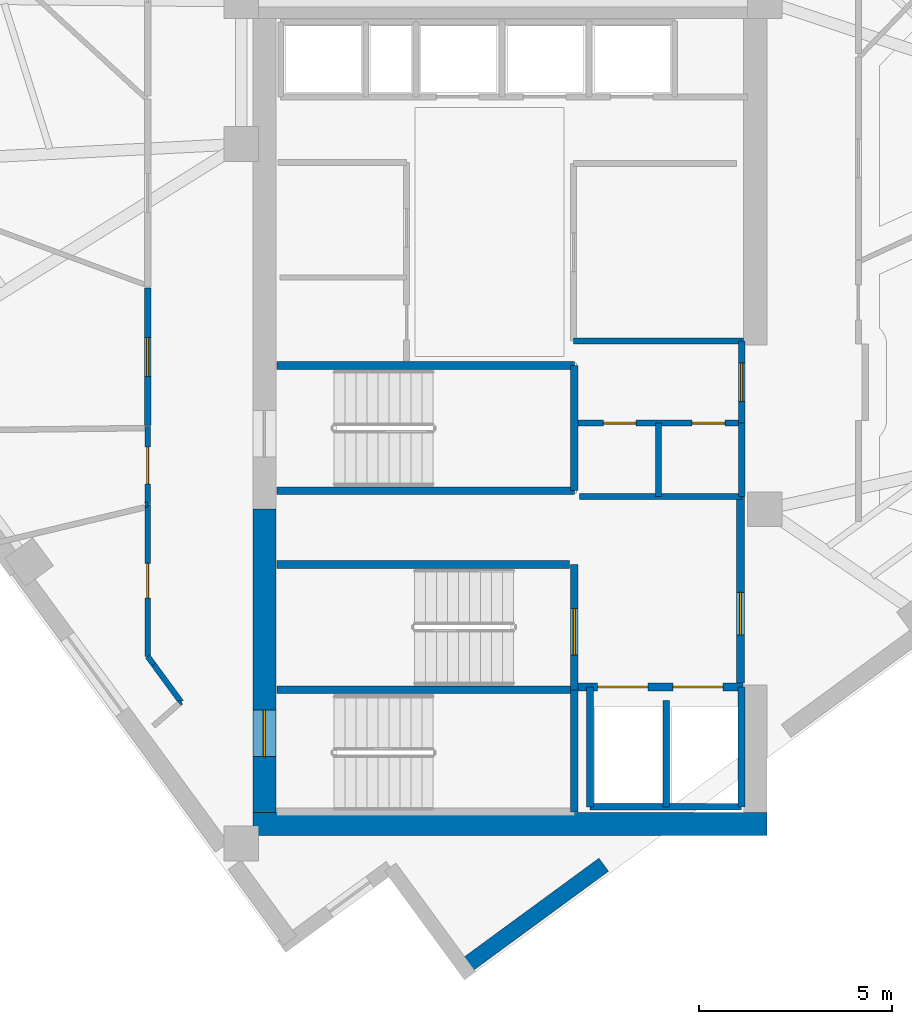
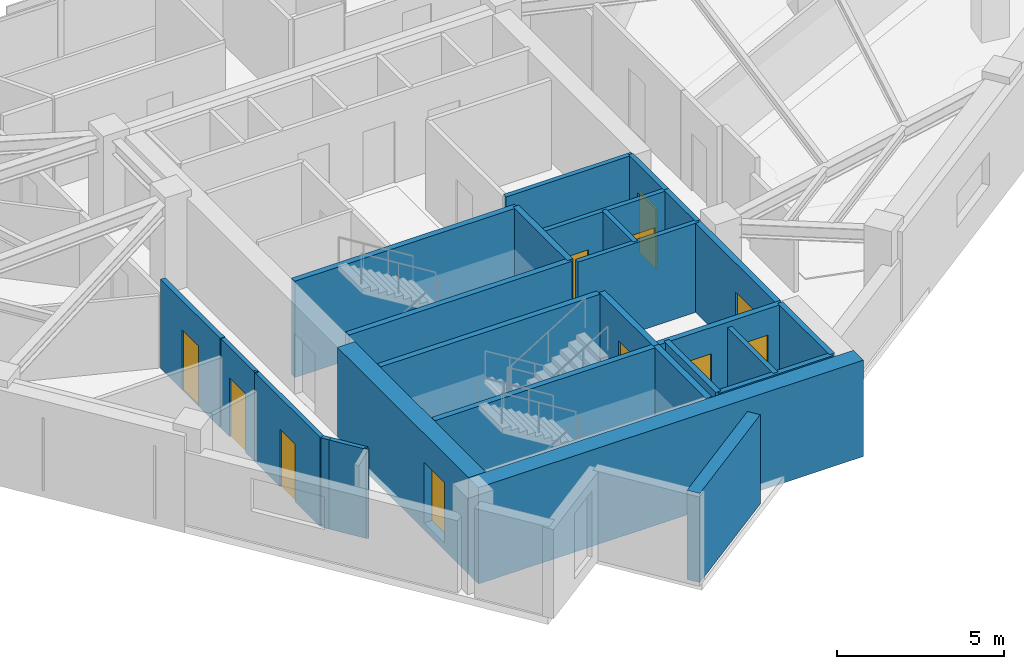
# One storey, part 8 of 13: 29 walls, 11 doors, 11 openings.
"""IFC4 building model written with IfcOpenShell, lengths in metres."""

from ifc_helpers import new_model, si_unit, direction, frame, frame_2d, origin, place, context, subcontext, project, spatial, rectangle, extrude, material, layer, layer_set, type_object, element, fill, save


model = new_model("IFC4")

# Units and contexts
model_context = context("Model", 3, precision=1e-05, world=origin(), true_north=direction((0.0, 1.0)))
body_context = subcontext(model_context, "Body", "Model", "MODEL_VIEW")
ifc_project = project(units=[si_unit("LENGTHUNIT", "METRE"), si_unit("AREAUNIT", "SQUARE_METRE"), si_unit("VOLUMEUNIT", "CUBIC_METRE"), si_unit("PLANEANGLEUNIT", "RADIAN"), si_unit("MASSUNIT", "GRAM", prefix="KILO")], contexts=[model_context])

# Site, building, storey
site_placement = place(None, origin())
site = spatial("IfcSite", under=ifc_project, at=site_placement, CompositionType="ELEMENT")
building_placement = place(site_placement, origin())
building = spatial("IfcBuilding", under=site, at=building_placement, Name="Narakoshi Arena Tower", CompositionType="ELEMENT")
storey_placement = place(building_placement, frame((0.0, 0.0, 239.6201171875)))
storey = spatial("IfcBuildingStorey", under=building, at=storey_placement, Name="L65", CompositionType="ELEMENT", Elevation=239.6201171875)

# Wall, opening, door
ifc_material_1 = material(Name="Concrete C50/60", Category="concrete")
ifc_layer_1 = layer(ifc_material_1, 0.60009765625)
ifc_layer_set_1 = layer_set([ifc_layer_1], Name="Concrete C50/60")
wall_type_1 = type_object("IfcWallType", Name="WL-CORE-600", PredefinedType="SHEAR", material=ifc_layer_set_1)
wall_1_placement = place(storey_placement, frame((72.60009765625, 35.5, -0.260009765625), z_axis=(0.0, 0.0, 1.0), x_axis=(0.0, 1.0, 0.0)))
wall_1 = element("IfcWall", 1, at=wall_1_placement, inside=storey, type_object=wall_type_1, Name="L65 Central Core Shear Wall CW-APX-W", PredefinedType="SHEAR", context=body_context, shape_type="SweptSolid", body=[
    extrude(rectangle(XDim=7.85009765625, YDim=0.60009765625, at=frame_2d((3.925048828125, 0.0))), origin(), (0.0, 0.0, 1.0), 3.519775390625),
])
opening_1_placement = place(wall_1_placement, frame((1.449951171875, 0.0, 0.260009765625)))
opening_1 = element("IfcOpeningElement", 2, at=opening_1_placement, cuts=wall_1, Name="Opening D-03", PredefinedType="OPENING", context=body_context, shape_type="SweptSolid", body=[
    extrude(rectangle(XDim=1.199951171875, YDim=2.199951171875, at=frame_2d((0.60009765625, 1.10009765625))), frame((0.0, 0.31005859375, 0.0), z_axis=(0.0, -1.0, 0.0), x_axis=(1.0, 0.0, 0.0)), (0.0, 0.0, 1.0), 0.6201171875),
])
ifc_material_2 = material(Name="Painted galvanized steel", Category="steel")
door_type_1 = type_object("IfcDoorType", Name="DR-STR-1200", OperationType="NOTDEFINED", PredefinedType="USERDEFINED", material=ifc_material_2)
door_1_placement = place(opening_1_placement, frame((1.199951171875, 0.0, 0.0), z_axis=(0.0, 0.0, 1.0), x_axis=(-1.0, 0.0, 0.0)))
door_1 = element("IfcDoor", 3, at=door_1_placement, inside=storey, type_object=door_type_1, Name="DR-L65-001", ObjectType="EXITDOOR", OperationType="SINGLE_SWING_LEFT", OverallHeight=2.199951171875, OverallWidth=1.199951171875, PredefinedType="USERDEFINED", context=body_context, shape_type="SweptSolid", body=[
    extrude(rectangle(XDim=1.199951171875, YDim=2.199951171875, at=frame_2d((0.60009765625, 1.10009765625))), frame((0.0, 0.02490234375, 0.0), z_axis=(0.0, -1.0, 0.0), x_axis=(1.0, 0.0, 0.0)), (0.0, 0.0, 1.0), 0.050048828125),
])
fill(opening_1, door_1)

# Wall
wall_2_placement = place(storey_placement, frame((72.300048828125, 35.199951171875, -0.260009765625), z_axis=(0.0, 0.0, 1.0), x_axis=(1.0, 0.0, 0.0)))
element("IfcWall", 4, at=wall_2_placement, inside=storey, type_object=wall_type_1, Name="L65 Central Core Shear Wall CW-APX-S", PredefinedType="SHEAR", context=body_context, shape_type="SweptSolid", body=[
    extrude(rectangle(XDim=13.300048828125, YDim=0.60009765625, at=frame_2d((6.64990234375, 0.0))), origin(), (0.0, 0.0, 1.0), 3.519775390625),
])

# Wall, opening, door
ifc_material_3 = material(Name="Gypsum plasterboard fire-rated partition")
ifc_layer_2 = layer(ifc_material_3, 0.1650390625)
ifc_layer_set_2 = layer_set([ifc_layer_2], Name="Gypsum plasterboard fire-rated partition")
wall_type_2 = type_object("IfcWallType", Name="WL-CORR-165", PredefinedType="PARTITIONING", material=ifc_layer_set_2)
wall_3_placement = place(storey_placement, frame((84.949951171875, 45.580078125, 0.0), z_axis=(0.0, 0.0, 1.0), x_axis=(0.0, 1.0, 0.0)))
wall_3 = element("IfcWall", 5, at=wall_3_placement, inside=storey, type_object=wall_type_2, Name="L65 Core Wall CPAS-E", PredefinedType="PARTITIONING", context=body_context, shape_type="SweptSolid", body=[
    extrude(rectangle(XDim=2.119873046875, YDim=0.1650390625, at=frame_2d((1.06005859375, 0.0))), origin(), (0.0, 0.0, 1.0), 3.259765625),
])
opening_2_placement = place(wall_3_placement, frame((0.56005859375, 0.0, 0.0)))
opening_2 = element("IfcOpeningElement", 6, at=opening_2_placement, cuts=wall_3, Name="Opening D-06", PredefinedType="OPENING", context=body_context, shape_type="SweptSolid", body=[
    extrude(rectangle(XDim=1.0, YDim=2.199951171875, at=frame_2d((0.5, 1.10009765625))), frame((0.0, 0.092529296875, 0.0), z_axis=(0.0, -1.0, 0.0), x_axis=(1.0, 0.0, 0.0)), (0.0, 0.0, 1.0), 0.18505859375),
])
ifc_material_4 = material(Name="Stained oak solid-core timber", Category="wood")
door_type_2 = type_object("IfcDoorType", Name="DR-OFF-1000", OperationType="NOTDEFINED", PredefinedType="DOOR", material=ifc_material_4)
door_2_placement = place(opening_2_placement, frame((1.0, 0.0, 0.0), z_axis=(0.0, 0.0, 1.0), x_axis=(-1.0, 0.0, 0.0)))
door_2 = element("IfcDoor", 7, at=door_2_placement, inside=storey, type_object=door_type_2, Name="DR-L65-007", OperationType="SINGLE_SWING_LEFT", OverallHeight=2.199951171875, OverallWidth=1.0, PredefinedType="DOOR", context=body_context, shape_type="SweptSolid", body=[
    extrude(rectangle(XDim=1.0, YDim=2.199951171875, at=frame_2d((0.5, 1.10009765625))), frame((0.0, 0.02490234375, 0.0), z_axis=(0.0, -1.0, 0.0), x_axis=(1.0, 0.0, 0.0)), (0.0, 0.0, 1.0), 0.050048828125),
])
fill(opening_2, door_2)

wall_4_placement = place(storey_placement, frame((69.577880859375, 49.071044921875, 0.0), z_axis=(0.0, 0.0, 1.0), x_axis=(0.0, -1.0, 0.0)))
wall_4 = element("IfcWall", 8, at=wall_4_placement, inside=storey, type_object=wall_type_2, Name="L65 Corridor Partition 09-1", PredefinedType="PARTITIONING", context=body_context, shape_type="SweptSolid", body=[
    extrude(rectangle(XDim=3.560791015625, YDim=0.1650390625, at=frame_2d((1.7802734375, 0.0))), origin(), (0.0, 0.0, 1.0), 3.259765625),
])
opening_3_placement = place(wall_4_placement, frame((1.280517578125, 0.0, 0.0)))
opening_3 = element("IfcOpeningElement", 9, at=opening_3_placement, cuts=wall_4, Name="Opening D-06", PredefinedType="OPENING", context=body_context, shape_type="SweptSolid", body=[
    extrude(rectangle(XDim=1.0, YDim=2.199951171875, at=frame_2d((0.5, 1.10009765625))), frame((0.0, 0.092529296875, 0.0), z_axis=(0.0, -1.0, 0.0), x_axis=(1.0, 0.0, 0.0)), (0.0, 0.0, 1.0), 0.18505859375),
])
door_3_placement = place(opening_3_placement, frame((1.0, 0.0, 0.0), z_axis=(0.0, 0.0, 1.0), x_axis=(-1.0, 0.0, 0.0)))
door_3 = element("IfcDoor", 10, at=door_3_placement, inside=storey, type_object=door_type_2, Name="DR-L65-024", OperationType="SINGLE_SWING_LEFT", OverallHeight=2.199951171875, OverallWidth=1.0, PredefinedType="DOOR", context=body_context, shape_type="SweptSolid", body=[
    extrude(rectangle(XDim=1.0, YDim=2.199951171875, at=frame_2d((0.5, 1.10009765625))), frame((0.0, 0.02490234375, 0.0), z_axis=(0.0, -1.0, 0.0), x_axis=(1.0, 0.0, 0.0)), (0.0, 0.0, 1.0), 0.050048828125),
])
fill(opening_3, door_3)

# Walls
ifc_material_5 = material(Name="Precast concrete C45/55", Category="concrete")
ifc_layer_3 = layer(ifc_material_5, 0.419921875)
ifc_layer_set_3 = layer_set([ifc_layer_3], Name="Precast concrete C45/55")
wall_type_3 = type_object("IfcWallType", Name="WL-POD-420", PredefinedType="SOLIDWALL", material=ifc_layer_set_3)
wall_5_placement = place(storey_placement, frame((77.760009765625, 31.4951171875, 0.0), z_axis=(0.0, 0.0, 1.0), x_axis=(0.806458583304, 0.591290582891, 0.0)))
element("IfcWall", 11, at=wall_5_placement, inside=storey, type_object=wall_type_3, Name="L65 Architectural Concrete Facade Wall LEGA-1", PredefinedType="SOLIDWALL", context=body_context, shape_type="SweptSolid", body=[
    extrude(rectangle(XDim=4.48974609375, YDim=0.419921875, at=frame_2d((2.244873046875, 0.0))), origin(), (0.0, 0.0, 1.0), 3.259765625),
])
ifc_material_6 = material(Name="Concrete C40/50", Category="concrete")
ifc_layer_4 = layer(ifc_material_6, 0.280029296875)
ifc_layer_set_4 = layer_set([ifc_layer_4], Name="Concrete C40/50")
wall_type_4 = type_object("IfcWallType", Name="WL-RISER-280", PredefinedType="PLUMBINGWALL", material=ifc_layer_set_4)
wall_6_placement = place(storey_placement, frame((83.0, 35.64990234375, 0.0), z_axis=(0.0, 0.0, 1.0), x_axis=(0.0, 1.0, 0.0)))
element("IfcWall", 12, at=wall_6_placement, inside=storey, type_object=wall_type_4, Name="L65 Core Wall FF-DIV", PredefinedType="PLUMBINGWALL", context=body_context, shape_type="SweptSolid", body=[
    extrude(rectangle(XDim=2.75, YDim=0.159912109375, at=frame_2d((1.375, 0.0))), origin(), (0.0, 0.0, 1.0), 3.259765625),
])
wall_7_placement = place(storey_placement, frame((84.949951171875, 43.679931640625, 0.0), z_axis=(0.0, 0.0, 1.0), x_axis=(0.0, 1.0, 0.0)))
element("IfcWall", 13, at=wall_7_placement, inside=storey, type_object=wall_type_4, Name="L65 Core Wall RSR-E", PredefinedType="PLUMBINGWALL", context=body_context, shape_type="SweptSolid", body=[
    extrude(rectangle(XDim=1.900146484375, YDim=0.1650390625, at=frame_2d((0.9501953125, 0.0))), origin(), (0.0, 0.0, 1.0), 3.259765625),
])

# Wall, openings, doors
wall_8_placement = place(storey_placement, frame((80.719970703125, 45.580078125, 0.0), z_axis=(0.0, 0.0, 1.0), x_axis=(1.0, 0.0, 0.0)))
wall_8 = element("IfcWall", 14, at=wall_8_placement, inside=storey, type_object=wall_type_4, Name="L65 Core Wall RSR-N", PredefinedType="PLUMBINGWALL", context=body_context, shape_type="SweptSolid", body=[
    extrude(rectangle(XDim=4.22998046875, YDim=0.159912109375, at=frame_2d((2.114990234375, 0.0))), origin(), (0.0, 0.0, 1.0), 3.259765625),
])
opening_4_placement = place(wall_8_placement, frame((0.64990234375, 0.0, 0.0)))
opening_4 = element("IfcOpeningElement", 15, at=opening_4_placement, cuts=wall_8, Name="Opening D-10", PredefinedType="OPENING", context=body_context, shape_type="SweptSolid", body=[
    extrude(rectangle(XDim=0.85009765625, YDim=2.050048828125, at=frame_2d((0.425048828125, 1.02490234375))), frame((0.0, 0.08984375, 0.0), z_axis=(0.0, -1.0, 0.0), x_axis=(1.0, 0.0, 0.0)), (0.0, 0.0, 1.0), 0.179931640625),
])
opening_5_placement = place(wall_8_placement, frame((2.949951171875, 0.0, 0.0)))
opening_5 = element("IfcOpeningElement", 16, at=opening_5_placement, cuts=wall_8, Name="Opening D-10", PredefinedType="OPENING", context=body_context, shape_type="SweptSolid", body=[
    extrude(rectangle(XDim=0.85009765625, YDim=2.050048828125, at=frame_2d((0.425048828125, 1.02490234375))), frame((0.0, 0.08984375, 0.0), z_axis=(0.0, -1.0, 0.0), x_axis=(1.0, 0.0, 0.0)), (0.0, 0.0, 1.0), 0.179931640625),
])
door_type_3 = type_object("IfcDoorType", Name="DR-RSR-850", OperationType="NOTDEFINED", PredefinedType="DOOR", material=ifc_material_2)
door_4_placement = place(opening_4_placement, frame((0.85009765625, 0.0, 0.0), z_axis=(0.0, 0.0, 1.0), x_axis=(-1.0, 0.0, 0.0)))
door_4 = element("IfcDoor", 17, at=door_4_placement, inside=storey, type_object=door_type_3, Name="DR-L65-008", OperationType="SINGLE_SWING_LEFT", OverallHeight=2.050048828125, OverallWidth=0.85009765625, PredefinedType="DOOR", context=body_context, shape_type="SweptSolid", body=[
    extrude(rectangle(XDim=0.85009765625, YDim=2.050048828125, at=frame_2d((0.425048828125, 1.02490234375))), frame((0.0, 0.02490234375, 0.0), z_axis=(0.0, -1.0, 0.0), x_axis=(1.0, 0.0, 0.0)), (0.0, 0.0, 1.0), 0.050048828125),
])
fill(opening_4, door_4)
door_5_placement = place(opening_5_placement, frame((0.85009765625, 0.0, 0.0), z_axis=(0.0, 0.0, 1.0), x_axis=(-1.0, 0.0, 0.0)))
door_5 = element("IfcDoor", 18, at=door_5_placement, inside=storey, type_object=door_type_3, Name="DR-L65-009", OperationType="SINGLE_SWING_RIGHT", OverallHeight=2.050048828125, OverallWidth=0.85009765625, PredefinedType="DOOR", context=body_context, shape_type="SweptSolid", body=[
    extrude(rectangle(XDim=0.85009765625, YDim=2.050048828125, at=frame_2d((0.425048828125, 1.02490234375))), frame((0.0, 0.02490234375, 0.0), z_axis=(0.0, -1.0, 0.0), x_axis=(1.0, 0.0, 0.0)), (0.0, 0.0, 1.0), 0.050048828125),
])
fill(opening_5, door_5)

# Walls
wall_9_placement = place(storey_placement, frame((80.760009765625, 43.679931640625, 0.0), z_axis=(0.0, 0.0, 1.0), x_axis=(1.0, 0.0, 0.0)))
element("IfcWall", 19, at=wall_9_placement, inside=storey, type_object=wall_type_4, Name="L65 Core Wall RSR-S", PredefinedType="PLUMBINGWALL", context=body_context, shape_type="SweptSolid", body=[
    extrude(rectangle(XDim=4.18994140625, YDim=0.159912109375, at=frame_2d((2.094970703125, 0.0))), origin(), (0.0, 0.0, 1.0), 3.259765625),
])
wall_10_placement = place(storey_placement, frame((82.800048828125, 43.679931640625, 0.0), z_axis=(0.0, 0.0, 1.0), x_axis=(0.0, 1.0, 0.0)))
element("IfcWall", 20, at=wall_10_placement, inside=storey, type_object=wall_type_4, Name="L65 Core Wall RSR-M", PredefinedType="PLUMBINGWALL", context=body_context, shape_type="SweptSolid", body=[
    extrude(rectangle(XDim=1.900146484375, YDim=0.159912109375, at=frame_2d((0.9501953125, 0.0))), origin(), (0.0, 0.0, 1.0), 3.259765625),
])
ifc_layer_5 = layer(ifc_material_1, 0.35009765625)
ifc_layer_set_5 = layer_set([ifc_layer_5], Name="Concrete C50/60")
wall_type_5 = type_object("IfcWallType", Name="WL-SHAFT-350", PredefinedType="SOLIDWALL", material=ifc_layer_set_5)
wall_11_placement = place(storey_placement, frame((72.919921875, 38.675048828125, -0.260009765625), z_axis=(0.0, 0.0, 1.0), x_axis=(1.0, 0.0, 0.0)))
element("IfcWall", 21, at=wall_11_placement, inside=storey, type_object=wall_type_5, Name="L65 Core Wall ST12-DIV", PredefinedType="SOLIDWALL", context=body_context, shape_type="SweptSolid", body=[
    extrude(rectangle(XDim=7.7001953125, YDim=0.199951171875, at=frame_2d((3.85009765625, 0.0))), origin(), (0.0, 0.0, 1.0), 3.519775390625),
])
wall_12_placement = place(storey_placement, frame((80.6201171875, 35.52001953125, -0.260009765625), z_axis=(0.0, 0.0, 1.0), x_axis=(0.0, 1.0, 0.0)))
element("IfcWall", 22, at=wall_12_placement, inside=storey, type_object=wall_type_5, Name="L65 Core Wall ST1-E", PredefinedType="SOLIDWALL", context=body_context, shape_type="SweptSolid", body=[
    extrude(rectangle(XDim=3.155029296875, YDim=0.199951171875, at=frame_2d((1.57763671875, 0.0))), origin(), (0.0, 0.0, 1.0), 3.519775390625),
])

# Wall, opening, door
wall_13_placement = place(storey_placement, frame((80.6201171875, 38.675048828125, -0.260009765625), z_axis=(0.0, 0.0, 1.0), x_axis=(0.0, 1.0, 0.0)))
wall_13 = element("IfcWall", 23, at=wall_13_placement, inside=storey, type_object=wall_type_5, Name="L65 Core Wall ST2-E", PredefinedType="SOLIDWALL", context=body_context, shape_type="SweptSolid", body=[
    extrude(rectangle(XDim=3.244873046875, YDim=0.199951171875, at=frame_2d((1.62255859375, 0.0))), origin(), (0.0, 0.0, 1.0), 3.519775390625),
])
opening_6_placement = place(wall_13_placement, frame((0.89990234375, 0.0, 0.260009765625)))
opening_6 = element("IfcOpeningElement", 24, at=opening_6_placement, cuts=wall_13, Name="Opening D-03", PredefinedType="OPENING", context=body_context, shape_type="SweptSolid", body=[
    extrude(rectangle(XDim=1.199951171875, YDim=2.199951171875, at=frame_2d((0.60009765625, 1.10009765625))), frame((0.0, 0.10986328125, 0.0), z_axis=(0.0, -1.0, 0.0), x_axis=(1.0, 0.0, 0.0)), (0.0, 0.0, 1.0), 0.219970703125),
])
door_6_placement = place(opening_6_placement, origin())
door_6 = element("IfcDoor", 25, at=door_6_placement, inside=storey, type_object=door_type_1, Name="DR-L65-002", ObjectType="EXITDOOR", OperationType="SINGLE_SWING_RIGHT", OverallHeight=2.199951171875, OverallWidth=1.199951171875, PredefinedType="USERDEFINED", context=body_context, shape_type="SweptSolid", body=[
    extrude(rectangle(XDim=1.199951171875, YDim=2.199951171875, at=frame_2d((0.60009765625, 1.10009765625))), frame((0.0, 0.02490234375, 0.0), z_axis=(0.0, -1.0, 0.0), x_axis=(1.0, 0.0, 0.0)), (0.0, 0.0, 1.0), 0.050048828125),
])
fill(opening_6, door_6)

# Wall, openings, doors
wall_14_placement = place(storey_placement, frame((80.719970703125, 38.75, 0.0), z_axis=(0.0, 0.0, 1.0), x_axis=(1.0, 0.0, 0.0)))
wall_14 = element("IfcWall", 26, at=wall_14_placement, inside=storey, type_object=wall_type_5, Name="L65 Core Wall FF-N", PredefinedType="SOLIDWALL", context=body_context, shape_type="SweptSolid", body=[
    extrude(rectangle(XDim=4.260009765625, YDim=0.199951171875, at=frame_2d((2.1298828125, 0.0))), origin(), (0.0, 0.0, 1.0), 3.259765625),
])
opening_7_placement = place(wall_14_placement, frame((0.5, 0.0, 0.0)))
opening_7 = element("IfcOpeningElement", 27, at=opening_7_placement, cuts=wall_14, Name="Opening LD-02", PredefinedType="OPENING", context=body_context, shape_type="SweptSolid", body=[
    extrude(rectangle(XDim=1.300048828125, YDim=2.300048828125, at=frame_2d((0.64990234375, 1.14990234375))), frame((0.0, 0.10986328125, 0.0), z_axis=(0.0, -1.0, 0.0), x_axis=(1.0, 0.0, 0.0)), (0.0, 0.0, 1.0), 0.219970703125),
])
opening_8_placement = place(wall_14_placement, frame((2.449951171875, 0.0, 0.0)))
opening_8 = element("IfcOpeningElement", 28, at=opening_8_placement, cuts=wall_14, Name="Opening LD-02", PredefinedType="OPENING", context=body_context, shape_type="SweptSolid", body=[
    extrude(rectangle(XDim=1.300048828125, YDim=2.300048828125, at=frame_2d((0.64990234375, 1.14990234375))), frame((0.0, 0.10986328125, 0.0), z_axis=(0.0, -1.0, 0.0), x_axis=(1.0, 0.0, 0.0)), (0.0, 0.0, 1.0), 0.219970703125),
])
ifc_material_7 = material(Name="Brushed bronze stainless steel", Category="steel")
door_type_4 = type_object("IfcDoorType", Name="DR-LFT-1300", OperationType="DOUBLE_DOOR_SLIDING", PredefinedType="DOOR", material=ifc_material_7)
door_7_placement = place(opening_7_placement, origin())
door_7 = element("IfcDoor", 29, at=door_7_placement, inside=storey, type_object=door_type_4, Name="DR-L65-003", OperationType="DOUBLE_DOOR_SLIDING", OverallHeight=2.300048828125, OverallWidth=1.300048828125, PredefinedType="DOOR", context=body_context, shape_type="SweptSolid", body=[
    extrude(rectangle(XDim=1.300048828125, YDim=2.300048828125, at=frame_2d((0.64990234375, 1.14990234375))), frame((0.0, 0.02490234375, 0.0), z_axis=(0.0, -1.0, 0.0), x_axis=(1.0, 0.0, 0.0)), (0.0, 0.0, 1.0), 0.050048828125),
])
fill(opening_7, door_7)
door_8_placement = place(opening_8_placement, origin())
door_8 = element("IfcDoor", 30, at=door_8_placement, inside=storey, type_object=door_type_4, Name="DR-L65-004", OperationType="DOUBLE_DOOR_SLIDING", OverallHeight=2.300048828125, OverallWidth=1.300048828125, PredefinedType="DOOR", context=body_context, shape_type="SweptSolid", body=[
    extrude(rectangle(XDim=1.300048828125, YDim=2.300048828125, at=frame_2d((0.64990234375, 1.14990234375))), frame((0.0, 0.02490234375, 0.0), z_axis=(0.0, -1.0, 0.0), x_axis=(1.0, 0.0, 0.0)), (0.0, 0.0, 1.0), 0.050048828125),
])
fill(opening_8, door_8)

# Walls
for number, where, z_axis, x_axis, name in (
    (31, (84.949951171875, 35.64990234375, 0.0), (0.0, 0.0, 1.0), (0.0, 1.0, 0.0), "L65 Core Wall FF-E"),
    (32, (81.02001953125, 35.64990234375, 0.0), (0.0, 0.0, 1.0), (0.0, 1.0, 0.0), "L65 Core Wall FF-W"),
):
    element("IfcWall", number, at=place(storey_placement, frame(where, z_axis=z_axis, x_axis=x_axis)), inside=storey, type_object=wall_type_5, Name=name, PredefinedType="SOLIDWALL", context=body_context, shape_type="SweptSolid", body=[
        extrude(rectangle(XDim=3.10009765625, YDim=0.179931640625, at=frame_2d((1.550048828125, 0.0))), origin(), (0.0, 0.0, 1.0), 3.259765625),
    ])
wall_15_placement = place(storey_placement, frame((81.02001953125, 35.64990234375, 0.0), z_axis=(0.0, 0.0, 1.0), x_axis=(1.0, 0.0, 0.0)))
element("IfcWall", 33, at=wall_15_placement, inside=storey, type_object=wall_type_5, Name="L65 Core Wall FF-S", PredefinedType="SOLIDWALL", context=body_context, shape_type="SweptSolid", body=[
    extrude(rectangle(XDim=3.929931640625, YDim=0.179931640625, at=frame_2d((1.96484375, 0.0))), origin(), (0.0, 0.0, 1.0), 3.259765625),
])

# Wall, opening, door
wall_16_placement = place(storey_placement, frame((84.919921875, 38.85009765625, 0.0), z_axis=(0.0, 0.0, 1.0), x_axis=(0.0, 1.0, 0.0)))
wall_16 = element("IfcWall", 34, at=wall_16_placement, inside=storey, type_object=wall_type_5, Name="L65 Core Wall FFLOB-E", PredefinedType="SOLIDWALL", context=body_context, shape_type="SweptSolid", body=[
    extrude(rectangle(XDim=4.829833984375, YDim=0.199951171875, at=frame_2d((2.4150390625, 0.0))), origin(), (0.0, 0.0, 1.0), 3.259765625),
])
opening_9_placement = place(wall_16_placement, frame((1.25, 0.0, 0.0)))
opening_9 = element("IfcOpeningElement", 35, at=opening_9_placement, cuts=wall_16, Name="Opening D-04", PredefinedType="OPENING", context=body_context, shape_type="SweptSolid", body=[
    extrude(rectangle(XDim=1.10009765625, YDim=2.199951171875, at=frame_2d((0.550048828125, 1.10009765625))), frame((0.0, 0.10986328125, 0.0), z_axis=(0.0, -1.0, 0.0), x_axis=(1.0, 0.0, 0.0)), (0.0, 0.0, 1.0), 0.219970703125),
])
door_type_5 = type_object("IfcDoorType", Name="DR-FFL-1100", OperationType="NOTDEFINED", PredefinedType="DOOR", material=ifc_material_2)
door_9_placement = place(opening_9_placement, frame((1.10009765625, 0.0, 0.0), z_axis=(0.0, 0.0, 1.0), x_axis=(-1.0, 0.0, 0.0)))
door_9 = element("IfcDoor", 36, at=door_9_placement, inside=storey, type_object=door_type_5, Name="DR-L65-005", OperationType="SINGLE_SWING_RIGHT", OverallHeight=2.199951171875, OverallWidth=1.10009765625, PredefinedType="DOOR", context=body_context, shape_type="SweptSolid", body=[
    extrude(rectangle(XDim=1.10009765625, YDim=2.199951171875, at=frame_2d((0.550048828125, 1.10009765625))), frame((0.0, 0.02490234375, 0.0), z_axis=(0.0, -1.0, 0.0), x_axis=(1.0, 0.0, 0.0)), (0.0, 0.0, 1.0), 0.050048828125),
])
fill(opening_9, door_9)

# Walls
wall_17_placement = place(storey_placement, frame((72.919921875, 41.919921875, -0.260009765625), z_axis=(0.0, 0.0, 1.0), x_axis=(1.0, 0.0, 0.0)))
element("IfcWall", 37, at=wall_17_placement, inside=storey, type_object=wall_type_5, Name="L65 Core Wall ST2-N", PredefinedType="SOLIDWALL", context=body_context, shape_type="SweptSolid", body=[
    extrude(rectangle(XDim=7.580078125, YDim=0.199951171875, at=frame_2d((3.7900390625, 0.0))), origin(), (0.0, 0.0, 1.0), 3.519775390625),
])
for number, where, z_axis, x_axis, name in (
    (38, (72.919921875, 43.830078125, -0.260009765625), (0.0, 0.0, 1.0), (1.0, 0.0, 0.0), "L65 Core Wall ST3-S"),
    (39, (72.919921875, 47.070068359375, -0.260009765625), (0.0, 0.0, 1.0), (1.0, 0.0, 0.0), "L65 Core Wall ST3-N"),
):
    element("IfcWall", number, at=place(storey_placement, frame(where, z_axis=z_axis, x_axis=x_axis)), inside=storey, type_object=wall_type_5, Name=name, PredefinedType="SOLIDWALL", context=body_context, shape_type="SweptSolid", body=[
        extrude(rectangle(XDim=7.7001953125, YDim=0.199951171875, at=frame_2d((3.85009765625, 0.0))), origin(), (0.0, 0.0, 1.0), 3.519775390625),
    ])
wall_18_placement = place(storey_placement, frame((80.6201171875, 43.830078125, -0.260009765625), z_axis=(0.0, 0.0, 1.0), x_axis=(0.0, 1.0, 0.0)))
element("IfcWall", 40, at=wall_18_placement, inside=storey, type_object=wall_type_5, Name="L65 Core Wall ST3-E", PredefinedType="SOLIDWALL", context=body_context, shape_type="SweptSolid", body=[
    extrude(rectangle(XDim=3.239990234375, YDim=0.199951171875, at=frame_2d((1.6201171875, 0.0))), origin(), (0.0, 0.0, 1.0), 3.519775390625),
])
wall_19_placement = place(storey_placement, frame((80.60009765625, 47.699951171875, 0.0), z_axis=(0.0, 0.0, 1.0), x_axis=(1.0, 0.0, 0.0)))
element("IfcWall", 41, at=wall_19_placement, inside=storey, type_object=wall_type_5, Name="L65 Core Wall MR-S", PredefinedType="SOLIDWALL", context=body_context, shape_type="SweptSolid", body=[
    extrude(rectangle(XDim=4.39990234375, YDim=0.159912109375, at=frame_2d((2.199951171875, 0.0))), origin(), (0.0, 0.0, 1.0), 3.259765625),
])

# Wall, opening, door
ifc_material_8 = material(Name="Moisture-resistant cement-board partition")
ifc_layer_6 = layer(ifc_material_8, 0.14501953125)
ifc_layer_set_6 = layer_set([ifc_layer_6], Name="Moisture-resistant cement-board partition")
wall_type_6 = type_object("IfcWallType", Name="WL-WET-145", PredefinedType="PARTITIONING", material=ifc_layer_set_6)
wall_20_placement = place(storey_placement, frame((69.577880859375, 43.452880859375, 0.0), z_axis=(0.0, 0.0, 1.0), x_axis=(0.0, -1.0, 0.0)))
wall_20 = element("IfcWall", 42, at=wall_20_placement, inside=storey, type_object=wall_type_6, Name="L65 Corridor Partition 01-1", PredefinedType="PARTITIONING", context=body_context, shape_type="SweptSolid", body=[
    extrude(rectangle(XDim=3.910888671875, YDim=0.14501953125, at=frame_2d((1.95556640625, 0.0))), origin(), (0.0, 0.0, 1.0), 3.259765625),
])
opening_10_placement = place(wall_20_placement, frame((1.505615234375, 0.0, 0.0)))
opening_10 = element("IfcOpeningElement", 43, at=opening_10_placement, cuts=wall_20, Name="Opening D-08", PredefinedType="OPENING", context=body_context, shape_type="SweptSolid", body=[
    extrude(rectangle(XDim=0.89990234375, YDim=2.10009765625, at=frame_2d((0.449951171875, 1.050048828125))), frame((0.0, 0.08251953125, 0.0), z_axis=(0.0, -1.0, 0.0), x_axis=(1.0, 0.0, 0.0)), (0.0, 0.0, 1.0), 0.1650390625),
])
ifc_material_9 = material(Name="Moisture-resistant laminate timber", Category="wood")
door_type_6 = type_object("IfcDoorType", Name="DR-WC-900", OperationType="NOTDEFINED", PredefinedType="DOOR", material=ifc_material_9)
door_10_placement = place(opening_10_placement, frame((0.89990234375, 0.0, 0.0), z_axis=(0.0, 0.0, 1.0), x_axis=(-1.0, 0.0, 0.0)))
door_10 = element("IfcDoor", 44, at=door_10_placement, inside=storey, type_object=door_type_6, Name="DR-L65-016", OperationType="SINGLE_SWING_RIGHT", OverallHeight=2.10009765625, OverallWidth=0.89990234375, PredefinedType="DOOR", context=body_context, shape_type="SweptSolid", body=[
    extrude(rectangle(XDim=0.89990234375, YDim=2.10009765625, at=frame_2d((0.449951171875, 1.050048828125))), frame((0.0, 0.02490234375, 0.0), z_axis=(0.0, -1.0, 0.0), x_axis=(1.0, 0.0, 0.0)), (0.0, 0.0, 1.0), 0.050048828125),
])
fill(opening_10, door_10)

# Walls
wall_21_placement = place(storey_placement, frame((69.7333984375, 39.329833984375, 0.0), z_axis=(0.0, 0.0, 1.0), x_axis=(0.591275482142, -0.806469654865, 0.0)))
element("IfcWall", 45, at=wall_21_placement, inside=storey, type_object=wall_type_6, Name="L65 Corridor Partition 01-2", PredefinedType="PARTITIONING", context=body_context, shape_type="SweptSolid", body=[
    extrude(rectangle(XDim=1.2001953125, YDim=0.14501953125, at=frame_2d((0.60009765625, 0.0))), origin(), (0.0, 0.0, 1.0), 3.259765625),
])
wall_22_placement = place(storey_placement, frame((69.577880859375, 39.5419921875, 0.0), z_axis=(0.0, 0.0, 1.0), x_axis=(0.591202708834, -0.806523004673, 0.0)))
element("IfcWall", 46, at=wall_22_placement, inside=storey, type_object=wall_type_6, Name="L65 Corridor Partition 01-3", PredefinedType="PARTITIONING", context=body_context, shape_type="SweptSolid", body=[
    extrude(rectangle(XDim=0.262939453125, YDim=0.14501953125, at=frame_2d((0.13134765625, 0.0))), origin(), (0.0, 0.0, 1.0), 3.259765625),
])
wall_23_placement = place(storey_placement, frame((70.443115234375, 38.36181640625, 0.0), z_axis=(0.0, 0.0, 1.0), x_axis=(-0.756091313965, -0.654466137357, 0.0)))
element("IfcWall", 47, at=wall_23_placement, inside=storey, type_object=wall_type_6, Name="L65 Corridor Partition 01-4", PredefinedType="PARTITIONING", context=body_context, shape_type="SweptSolid", body=[
    extrude(rectangle(XDim=0.06005859375, YDim=0.14501953125, at=frame_2d((0.030029296875, 0.0))), origin(), (0.0, 0.0, 1.0), 3.259765625),
])

# Wall, opening, door
wall_24_placement = place(storey_placement, frame((69.577880859375, 45.486328125, 0.0), z_axis=(0.0, 0.0, 1.0), x_axis=(0.0, -1.0, 0.0)))
wall_24 = element("IfcWall", 48, at=wall_24_placement, inside=storey, type_object=wall_type_6, Name="L65 Corridor Partition 02-1", PredefinedType="PARTITIONING", context=body_context, shape_type="SweptSolid", body=[
    extrude(rectangle(XDim=2.0087890625, YDim=0.14501953125, at=frame_2d((1.00439453125, 0.0))), origin(), (0.0, 0.0, 1.0), 3.259765625),
])
opening_11_placement = place(wall_24_placement, frame((0.529296875, 0.0, 0.0)))
opening_11 = element("IfcOpeningElement", 49, at=opening_11_placement, cuts=wall_24, Name="Opening D-07", PredefinedType="OPENING", context=body_context, shape_type="SweptSolid", body=[
    extrude(rectangle(XDim=0.949951171875, YDim=2.14990234375, at=frame_2d((0.47509765625, 1.074951171875))), frame((0.0, 0.08251953125, 0.0), z_axis=(0.0, -1.0, 0.0), x_axis=(1.0, 0.0, 0.0)), (0.0, 0.0, 1.0), 0.1650390625),
])
door_type_7 = type_object("IfcDoorType", Name="DR-ACC-950", OperationType="NOTDEFINED", PredefinedType="DOOR", material=ifc_material_4)
door_11_placement = place(opening_11_placement, frame((0.949951171875, 0.0, 0.0), z_axis=(0.0, 0.0, 1.0), x_axis=(-1.0, 0.0, 0.0)))
door_11 = element("IfcDoor", 50, at=door_11_placement, inside=storey, type_object=door_type_7, Name="DR-L65-017", OperationType="SINGLE_SWING_RIGHT", OverallHeight=2.14990234375, OverallWidth=0.949951171875, PredefinedType="DOOR", context=body_context, shape_type="SweptSolid", body=[
    extrude(rectangle(XDim=0.949951171875, YDim=2.14990234375, at=frame_2d((0.47509765625, 1.074951171875))), frame((0.0, 0.02490234375, 0.0), z_axis=(0.0, -1.0, 0.0), x_axis=(1.0, 0.0, 0.0)), (0.0, 0.0, 1.0), 0.050048828125),
])
fill(opening_11, door_11)

# Wall
wall_25_placement = place(storey_placement, frame((69.577880859375, 43.4775390625, 0.0), z_axis=(0.0, 0.0, 1.0), x_axis=(-0.974190578374, -0.225727085233, 0.0)))
element("IfcWall", 51, at=wall_25_placement, inside=storey, type_object=wall_type_6, Name="L65 Corridor Partition 02-2", PredefinedType="PARTITIONING", context=body_context, shape_type="SweptSolid", body=[
    extrude(rectangle(XDim=0.061767578125, YDim=0.14501953125, at=frame_2d((0.03076171875, 0.0))), origin(), (0.0, 0.0, 1.0), 3.259765625),
])

save(model, "model.ifc")
